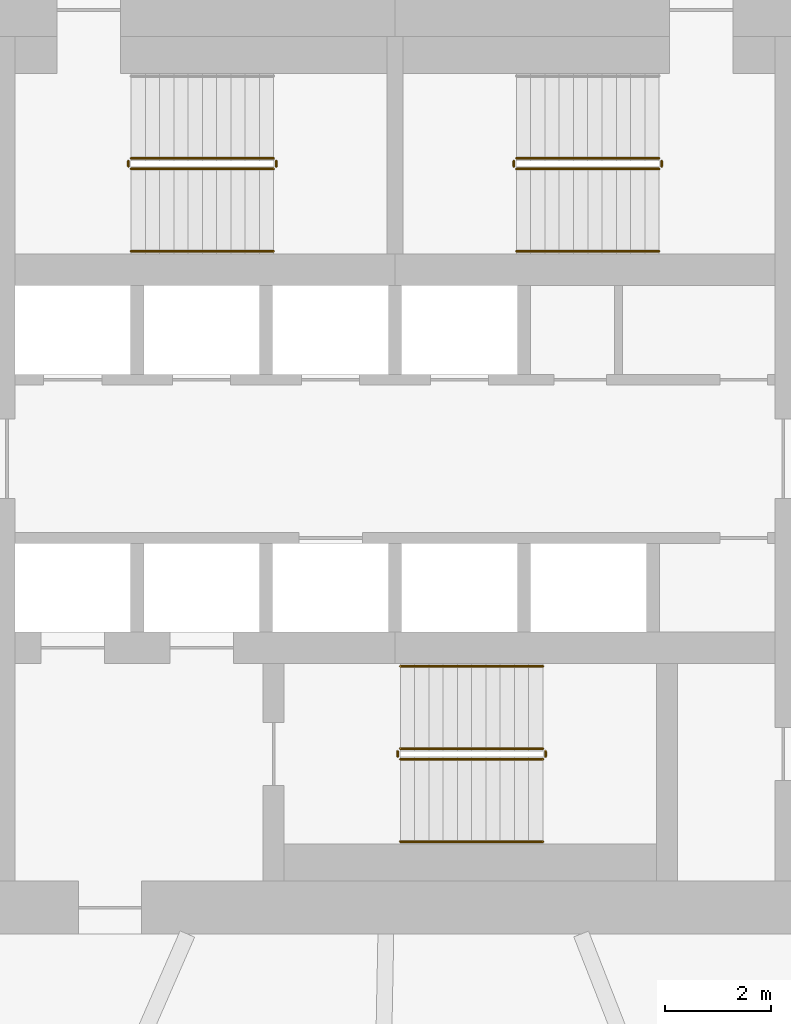
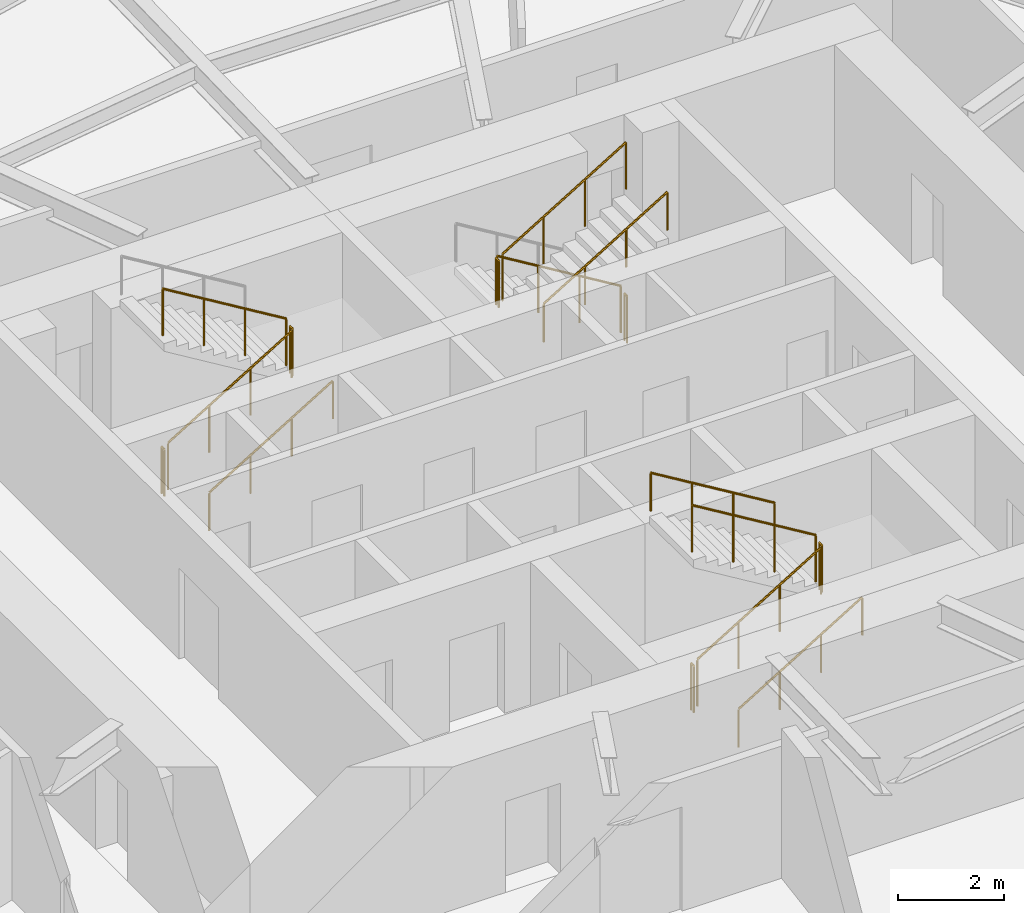
# One storey, part 13 of 15: 16 railings.
"""IFC4 building model written with IfcOpenShell, lengths in metres."""

from ifc_helpers import new_model, si_unit, direction, frame, origin, origin_2d, place, context, subcontext, project, spatial, circle, extrude, material, type_object, element, save


model = new_model("IFC4")

# Units and contexts
model_context = context("Model", 3, precision=1e-05, world=origin(), true_north=direction((0.0, 1.0)))
body_context = subcontext(model_context, "Body", "Model", "MODEL_VIEW")
ifc_project = project(units=[si_unit("LENGTHUNIT", "METRE"), si_unit("AREAUNIT", "SQUARE_METRE"), si_unit("VOLUMEUNIT", "CUBIC_METRE"), si_unit("PLANEANGLEUNIT", "RADIAN"), si_unit("MASSUNIT", "GRAM", prefix="KILO")], contexts=[model_context])

# Site, building, storey
site_placement = place(None, origin())
site = spatial("IfcSite", under=ifc_project, at=site_placement, CompositionType="ELEMENT")
building_placement = place(site_placement, origin())
building = spatial("IfcBuilding", under=site, at=building_placement, Name="Vermilion Reach Broadcast Tower", CompositionType="ELEMENT")
storey_placement = place(building_placement, frame((0.0, 0.0, 154.199951171875)))
storey = spatial("IfcBuildingStorey", under=building, at=storey_placement, Name="L36", CompositionType="ELEMENT", Elevation=154.199951171875)

# Railings
ifc_material_1 = material(Name="Stainless steel", Category="steel")
railing_type_1 = type_object("IfcRailingType", Name="Stair guard 1100", PredefinedType="GUARDRAIL", material=ifc_material_1)
railing_1_placement = place(storey_placement, frame((-11.0, 5.489990234375, 0.16357421875)))
element("IfcRailing", 1, at=railing_1_placement, inside=storey, type_object=railing_type_1, Name="L36 ST1 stair guard 1", PredefinedType="GUARDRAIL", context=body_context, shape_type="SweptSolid", body=[
    extrude(circle(Radius=0.02392578125, at=origin_2d()), frame((0.0, 0.0, 1.076171875), z_axis=(0.855178096276, 0.0, 0.518334277904), x_axis=(0.0, 1.0, 0.0)), (0.0, 0.0, 1.0), 3.1572265625),
    extrude(circle(Radius=0.02099609375, at=origin_2d()), origin(), (0.0, 0.0, 1.0), 1.052001953125),
    extrude(circle(Radius=0.02099609375, at=origin_2d()), frame((0.89990234375, 0.0, 0.54541015625)), (0.0, 0.0, 1.0), 1.052001953125),
    extrude(circle(Radius=0.02099609375, at=origin_2d()), frame((1.800048828125, 0.0, 1.091064453125)), (0.0, 0.0, 1.0), 1.052001953125),
    extrude(circle(Radius=0.02099609375, at=origin_2d()), frame((2.699951171875, 0.0, 1.636474609375)), (0.0, 0.0, 1.0), 1.052001953125),
])
railing_2_placement = place(storey_placement, frame((-8.25, 5.5400390625, 1.800048828125)))
element("IfcRailing", 2, at=railing_2_placement, inside=storey, type_object=railing_type_1, Name="L36 ST1 stair guard 2", PredefinedType="GUARDRAIL", context=body_context, shape_type="SweptSolid", body=[
    extrude(circle(Radius=0.02392578125, at=origin_2d()), frame((0.0, 0.0, 1.076171875), z_axis=(0.0, 1.0, 0.0), x_axis=(-1.0, 0.0, 0.0)), (0.0, 0.0, 1.0), 0.099853515625),
    extrude(circle(Radius=0.02099609375, at=origin_2d()), origin(), (0.0, 0.0, 1.0), 1.052001953125),
    extrude(circle(Radius=0.02099609375, at=origin_2d()), frame((0.0, 0.099853515625, 0.0)), (0.0, 0.0, 1.0), 1.052001953125),
])
railing_3_placement = place(storey_placement, frame((-8.300048828125, 5.68994140625, 1.963623046875)))
element("IfcRailing", 3, at=railing_3_placement, inside=storey, type_object=railing_type_1, Name="L36 ST1 stair guard 3", PredefinedType="GUARDRAIL", context=body_context, shape_type="SweptSolid", body=[
    extrude(circle(Radius=0.02392578125, at=origin_2d()), frame((0.0, 0.0, 1.076171875), z_axis=(-0.855178096276, 0.0, 0.518334277904), x_axis=(0.0, -1.0, 0.0)), (0.0, 0.0, 1.0), 3.1572265625),
    extrude(circle(Radius=0.02099609375, at=origin_2d()), origin(), (0.0, 0.0, 1.0), 1.052001953125),
    extrude(circle(Radius=0.02099609375, at=origin_2d()), frame((-0.89990234375, 0.0, 0.54541015625)), (0.0, 0.0, 1.0), 1.052001953125),
    extrude(circle(Radius=0.02099609375, at=origin_2d()), frame((-1.800048828125, 0.0, 1.091064453125)), (0.0, 0.0, 1.0), 1.052001953125),
    extrude(circle(Radius=0.02099609375, at=origin_2d()), frame((-2.699951171875, 0.0, 1.636474609375)), (0.0, 0.0, 1.0), 1.052001953125),
])
railing_4_placement = place(storey_placement, frame((-11.050048828125, 5.5400390625, 0.0)))
element("IfcRailing", 4, at=railing_4_placement, inside=storey, type_object=railing_type_1, Name="L36 ST1 stair guard 4", PredefinedType="GUARDRAIL", context=body_context, shape_type="SweptSolid", body=[
    extrude(circle(Radius=0.02392578125, at=origin_2d()), frame((0.0, 0.0, 1.076171875), z_axis=(0.0, 1.0, 0.0), x_axis=(-1.0, 0.0, 0.0)), (0.0, 0.0, 1.0), 0.099853515625),
    extrude(circle(Radius=0.02099609375, at=origin_2d()), origin(), (0.0, 0.0, 1.0), 1.052001953125),
    extrude(circle(Radius=0.02099609375, at=origin_2d()), frame((0.0, 0.099853515625, 0.0)), (0.0, 0.0, 1.0), 1.052001953125),
])
railing_5_placement = place(storey_placement, frame((-1.0, 5.68994140625, 0.16357421875)))
element("IfcRailing", 5, at=railing_5_placement, inside=storey, type_object=railing_type_1, Name="L36 ST2 stair guard 1", PredefinedType="GUARDRAIL", context=body_context, shape_type="SweptSolid", body=[
    extrude(circle(Radius=0.02392578125, at=origin_2d()), frame((0.0, 0.0, 1.076171875), z_axis=(-0.855178096276, 0.0, 0.518334277904), x_axis=(0.0, -1.0, 0.0)), (0.0, 0.0, 1.0), 3.1572265625),
    extrude(circle(Radius=0.02099609375, at=origin_2d()), origin(), (0.0, 0.0, 1.0), 1.052001953125),
    extrude(circle(Radius=0.02099609375, at=origin_2d()), frame((-0.89990234375, 0.0, 0.54541015625)), (0.0, 0.0, 1.0), 1.052001953125),
    extrude(circle(Radius=0.02099609375, at=origin_2d()), frame((-1.800048828125, 0.0, 1.091064453125)), (0.0, 0.0, 1.0), 1.052001953125),
    extrude(circle(Radius=0.02099609375, at=origin_2d()), frame((-2.699951171875, 0.0, 1.636474609375)), (0.0, 0.0, 1.0), 1.052001953125),
])
railing_6_placement = place(storey_placement, frame((-3.75, 5.639892578125, 1.800048828125)))
element("IfcRailing", 6, at=railing_6_placement, inside=storey, type_object=railing_type_1, Name="L36 ST2 stair guard 2", PredefinedType="GUARDRAIL", context=body_context, shape_type="SweptSolid", body=[
    extrude(circle(Radius=0.02392578125, at=origin_2d()), frame((0.0, 0.0, 1.076171875), z_axis=(0.0, -1.0, 0.0), x_axis=(1.0, 0.0, 0.0)), (0.0, 0.0, 1.0), 0.099853515625),
    extrude(circle(Radius=0.02099609375, at=origin_2d()), origin(), (0.0, 0.0, 1.0), 1.052001953125),
    extrude(circle(Radius=0.02099609375, at=origin_2d()), frame((0.0, -0.099853515625, 0.0)), (0.0, 0.0, 1.0), 1.052001953125),
])
railing_7_placement = place(storey_placement, frame((-3.699951171875, 5.489990234375, 1.963623046875)))
element("IfcRailing", 7, at=railing_7_placement, inside=storey, type_object=railing_type_1, Name="L36 ST2 stair guard 3", PredefinedType="GUARDRAIL", context=body_context, shape_type="SweptSolid", body=[
    extrude(circle(Radius=0.02392578125, at=origin_2d()), frame((0.0, 0.0, 1.076171875), z_axis=(0.855178096276, 0.0, 0.518334277904), x_axis=(0.0, 1.0, 0.0)), (0.0, 0.0, 1.0), 3.1572265625),
    extrude(circle(Radius=0.02099609375, at=origin_2d()), origin(), (0.0, 0.0, 1.0), 1.052001953125),
    extrude(circle(Radius=0.02099609375, at=origin_2d()), frame((0.89990234375, 0.0, 0.54541015625)), (0.0, 0.0, 1.0), 1.052001953125),
    extrude(circle(Radius=0.02099609375, at=origin_2d()), frame((1.800048828125, 0.0, 1.091064453125)), (0.0, 0.0, 1.0), 1.052001953125),
    extrude(circle(Radius=0.02099609375, at=origin_2d()), frame((2.699951171875, 0.0, 1.636474609375)), (0.0, 0.0, 1.0), 1.052001953125),
])
railing_8_placement = place(storey_placement, frame((-0.949951171875, 5.639892578125, 0.0)))
element("IfcRailing", 8, at=railing_8_placement, inside=storey, type_object=railing_type_1, Name="L36 ST2 stair guard 4", PredefinedType="GUARDRAIL", context=body_context, shape_type="SweptSolid", body=[
    extrude(circle(Radius=0.02392578125, at=origin_2d()), frame((0.0, 0.0, 1.076171875), z_axis=(0.0, -1.0, 0.0), x_axis=(1.0, 0.0, 0.0)), (0.0, 0.0, 1.0), 0.099853515625),
    extrude(circle(Radius=0.02099609375, at=origin_2d()), origin(), (0.0, 0.0, 1.0), 1.052001953125),
    extrude(circle(Radius=0.02099609375, at=origin_2d()), frame((0.0, -0.099853515625, 0.0)), (0.0, 0.0, 1.0), 1.052001953125),
])
railing_9_placement = place(storey_placement, frame((-5.89990234375, -5.68994140625, 0.16357421875)))
element("IfcRailing", 9, at=railing_9_placement, inside=storey, type_object=railing_type_1, Name="L36 ST3 stair guard 1", PredefinedType="GUARDRAIL", context=body_context, shape_type="SweptSolid", body=[
    extrude(circle(Radius=0.02392578125, at=origin_2d()), frame((0.0, 0.0, 1.076171875), z_axis=(0.855178096276, 0.0, 0.518334277904), x_axis=(0.0, 1.0, 0.0)), (0.0, 0.0, 1.0), 3.1572265625),
    extrude(circle(Radius=0.02099609375, at=origin_2d()), origin(), (0.0, 0.0, 1.0), 1.052001953125),
    extrude(circle(Radius=0.02099609375, at=origin_2d()), frame((0.89990234375, 0.0, 0.54541015625)), (0.0, 0.0, 1.0), 1.052001953125),
    extrude(circle(Radius=0.02099609375, at=origin_2d()), frame((1.800048828125, 0.0, 1.091064453125)), (0.0, 0.0, 1.0), 1.052001953125),
    extrude(circle(Radius=0.02099609375, at=origin_2d()), frame((2.699951171875, 0.0, 1.636474609375)), (0.0, 0.0, 1.0), 1.052001953125),
])
railing_10_placement = place(storey_placement, frame((-3.14990234375, -5.639892578125, 1.800048828125)))
element("IfcRailing", 10, at=railing_10_placement, inside=storey, type_object=railing_type_1, Name="L36 ST3 stair guard 2", PredefinedType="GUARDRAIL", context=body_context, shape_type="SweptSolid", body=[
    extrude(circle(Radius=0.02392578125, at=origin_2d()), frame((0.0, 0.0, 1.076171875), z_axis=(0.0, 1.0, 0.0), x_axis=(-1.0, 0.0, 0.0)), (0.0, 0.0, 1.0), 0.099853515625),
    extrude(circle(Radius=0.02099609375, at=origin_2d()), origin(), (0.0, 0.0, 1.0), 1.052001953125),
    extrude(circle(Radius=0.02099609375, at=origin_2d()), frame((0.0, 0.099853515625, 0.0)), (0.0, 0.0, 1.0), 1.052001953125),
])
railing_11_placement = place(storey_placement, frame((-3.199951171875, -5.489990234375, 1.963623046875)))
element("IfcRailing", 11, at=railing_11_placement, inside=storey, type_object=railing_type_1, Name="L36 ST3 stair guard 3", PredefinedType="GUARDRAIL", context=body_context, shape_type="SweptSolid", body=[
    extrude(circle(Radius=0.02392578125, at=origin_2d()), frame((0.0, 0.0, 1.076171875), z_axis=(-0.855178096276, 0.0, 0.518334277904), x_axis=(0.0, -1.0, 0.0)), (0.0, 0.0, 1.0), 3.1572265625),
    extrude(circle(Radius=0.02099609375, at=origin_2d()), origin(), (0.0, 0.0, 1.0), 1.052001953125),
    extrude(circle(Radius=0.02099609375, at=origin_2d()), frame((-0.89990234375, 0.0, 0.54541015625)), (0.0, 0.0, 1.0), 1.052001953125),
    extrude(circle(Radius=0.02099609375, at=origin_2d()), frame((-1.800048828125, 0.0, 1.091064453125)), (0.0, 0.0, 1.0), 1.052001953125),
    extrude(circle(Radius=0.02099609375, at=origin_2d()), frame((-2.699951171875, 0.0, 1.636474609375)), (0.0, 0.0, 1.0), 1.052001953125),
])
railing_12_placement = place(storey_placement, frame((-5.949951171875, -5.639892578125, 0.0)))
element("IfcRailing", 12, at=railing_12_placement, inside=storey, type_object=railing_type_1, Name="L36 ST3 stair guard 4", PredefinedType="GUARDRAIL", context=body_context, shape_type="SweptSolid", body=[
    extrude(circle(Radius=0.02392578125, at=origin_2d()), frame((0.0, 0.0, 1.076171875), z_axis=(0.0, 1.0, 0.0), x_axis=(-1.0, 0.0, 0.0)), (0.0, 0.0, 1.0), 0.099853515625),
    extrude(circle(Radius=0.02099609375, at=origin_2d()), origin(), (0.0, 0.0, 1.0), 1.052001953125),
    extrude(circle(Radius=0.02099609375, at=origin_2d()), frame((0.0, 0.099853515625, 0.0)), (0.0, 0.0, 1.0), 1.052001953125),
])
ifc_material_2 = material(Name="Stainless steel", Category="steel")
railing_type_2 = type_object("IfcRailingType", Name="Stair handrail", PredefinedType="HANDRAIL", material=ifc_material_2)
for number, where, name in (
    (13, (-11.0, 3.929931640625, 0.16357421875), "L36 ST1 stair handrail 1"),
    (14, (-3.699951171875, 3.929931640625, 1.963623046875), "L36 ST2 stair handrail 2"),
    (15, (-5.89990234375, -7.25, 0.16357421875), "L36 ST3 stair handrail 1"),
):
    element("IfcRailing", number, at=place(storey_placement, frame(where)), inside=storey, type_object=railing_type_2, Name=name, PredefinedType="HANDRAIL", context=body_context, shape_type="SweptSolid", body=[
        extrude(circle(Radius=0.02392578125, at=origin_2d()), frame((0.0, 0.0, 0.8759765625), z_axis=(0.855178096276, 0.0, 0.518334277904), x_axis=(0.0, 1.0, 0.0)), (0.0, 0.0, 1.0), 3.1572265625),
        extrude(circle(Radius=0.02099609375, at=origin_2d()), origin(), (0.0, 0.0, 1.0), 0.851806640625),
        extrude(circle(Radius=0.02099609375, at=origin_2d()), frame((0.89990234375, 0.0, 0.54541015625)), (0.0, 0.0, 1.0), 0.851806640625),
        extrude(circle(Radius=0.02099609375, at=origin_2d()), frame((1.800048828125, 0.0, 1.091064453125)), (0.0, 0.0, 1.0), 0.851806640625),
        extrude(circle(Radius=0.02099609375, at=origin_2d()), frame((2.699951171875, 0.0, 1.636474609375)), (0.0, 0.0, 1.0), 0.851806640625),
    ])
railing_13_placement = place(storey_placement, frame((-3.199951171875, -3.929931640625, 1.963623046875)))
element("IfcRailing", 16, at=railing_13_placement, inside=storey, type_object=railing_type_2, Name="L36 ST3 stair handrail 2", PredefinedType="HANDRAIL", context=body_context, shape_type="SweptSolid", body=[
    extrude(circle(Radius=0.02392578125, at=origin_2d()), frame((0.0, 0.0, 0.8759765625), z_axis=(-0.855178096276, 0.0, 0.518334277904), x_axis=(0.0, -1.0, 0.0)), (0.0, 0.0, 1.0), 3.1572265625),
    extrude(circle(Radius=0.02099609375, at=origin_2d()), origin(), (0.0, 0.0, 1.0), 0.851806640625),
    extrude(circle(Radius=0.02099609375, at=origin_2d()), frame((-0.89990234375, 0.0, 0.54541015625)), (0.0, 0.0, 1.0), 0.851806640625),
    extrude(circle(Radius=0.02099609375, at=origin_2d()), frame((-1.800048828125, 0.0, 1.091064453125)), (0.0, 0.0, 1.0), 0.851806640625),
    extrude(circle(Radius=0.02099609375, at=origin_2d()), frame((-2.699951171875, 0.0, 1.636474609375)), (0.0, 0.0, 1.0), 0.851806640625),
])

save(model, "model.ifc")
